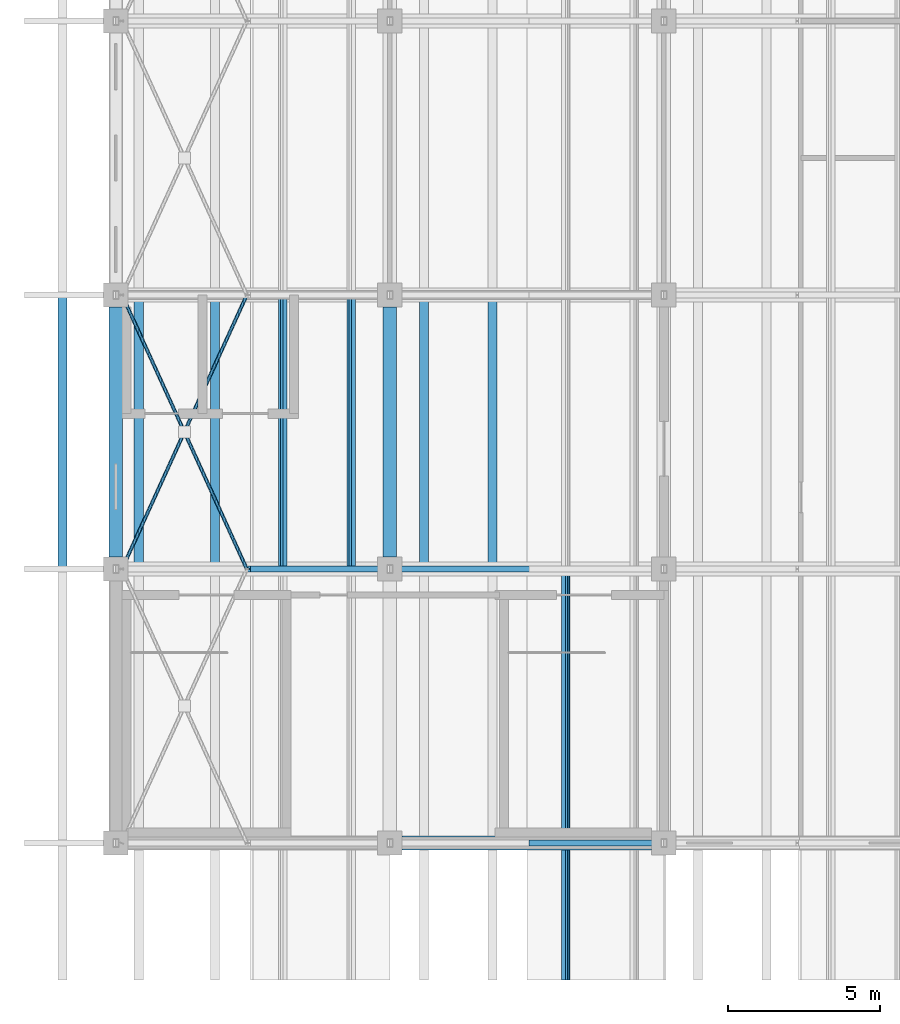
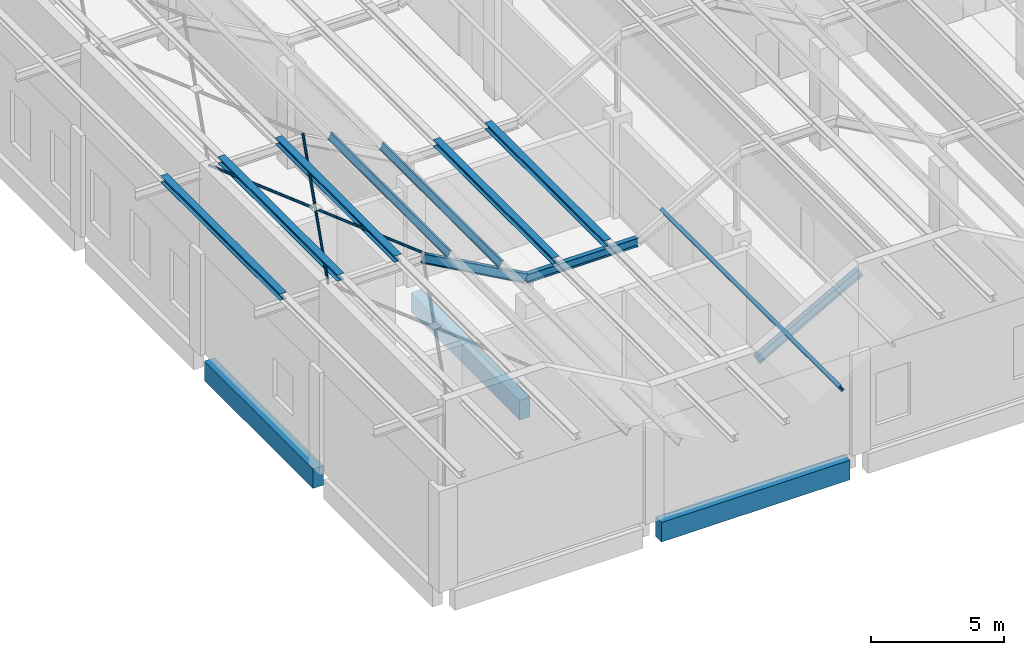
# One storey, part 12 of 437: 14 members, 3 beams.
"""IFC4 building model written with IfcOpenShell, lengths in metres."""

from ifc_helpers import new_model, si_unit, direction, frame, origin, origin_2d, place, context, subcontext, project, spatial, rectangle, hollow_circle, i_section, extrude, material, material_profile, profile_set, type_object, element, save


model = new_model("IFC4")

# Units and contexts
model_context = context("Model", 3, precision=1e-05, world=origin(), true_north=direction((0.0, 1.0)))
body_context = subcontext(model_context, "Body", "Model", "MODEL_VIEW")
ifc_project = project(units=[si_unit("LENGTHUNIT", "METRE"), si_unit("AREAUNIT", "SQUARE_METRE"), si_unit("VOLUMEUNIT", "CUBIC_METRE"), si_unit("PLANEANGLEUNIT", "RADIAN"), si_unit("MASSUNIT", "GRAM", prefix="KILO")], contexts=[model_context])

# Site, building, storey
site_placement = place(None, origin())
site = spatial("IfcSite", under=ifc_project, at=site_placement, CompositionType="ELEMENT")
building_placement = place(site_placement, origin())
building = spatial("IfcBuilding", under=site, at=building_placement, Name="Opaline Strait Convention Centre", CompositionType="ELEMENT")
storey_placement = place(building_placement, frame((0.0, 0.0, 11.5)))
storey = spatial("IfcBuildingStorey", under=building, at=storey_placement, Name="L02", CompositionType="ELEMENT", Elevation=11.5)

# Members
ifc_material_1 = material(Name="Steel Q355B", Category="steel")
ifc_material_profile_1 = material_profile(ifc_material_1, i_section(OverallWidth=0.300048828125, OverallDepth=0.300048828125, WebThickness=0.010009765625, FlangeThickness=0.014892578125, FilletRadius=0.012939453125, at=origin_2d()), Name="HW 300x300x10x15")
ifc_profile_set_1 = profile_set([ifc_material_profile_1], Name="Steel Q355B")
member_type_1 = type_object("IfcMemberType", Name="Crest purlin HW 300x300x10x15", PredefinedType="PURLIN", material=ifc_profile_set_1)
for number, where, z_axis, x_axis, name in (
    (1, (7.25, 18.0, 8.449951171875), (0.0, 1.0, 0.0), (-1.0, 0.0, 0.0), "RU1 purlin facet 1 line 1"),
    (2, (9.75, 18.0, 8.449951171875), (0.0, 1.0, 0.0), (-1.0, 0.0, 0.0), "RU1 purlin facet 1 line 2"),
    (3, (12.25, 18.0, 8.449951171875), (0.0, 1.0, 0.0), (-1.0, 0.0, 0.0), "RU1 purlin facet 1 line 3"),
    (4, (19.125, 18.0, 5.949951171875), (0.0, 1.0, 0.0), (-1.0, 0.0, 0.0), "RU1 purlin facet 3 line 1"),
    (5, (21.375, 18.0, 5.949951171875), (0.0, 1.0, 0.0), (-1.0, 0.0, 0.0), "RU1 purlin facet 3 line 2"),
):
    element("IfcMember", number, at=place(storey_placement, frame(where, z_axis=z_axis, x_axis=x_axis)), inside=storey, type_object=member_type_1, Name=name, PredefinedType="PURLIN", context=body_context, shape_type="SweptSolid", body=[
        extrude(i_section(OverallWidth=0.300048828125, OverallDepth=0.300048828125, WebThickness=0.010009765625, FlangeThickness=0.014892578125, FilletRadius=0.012939453125, at=origin_2d()), origin(), (0.0, 0.0, 1.0), 9.0),
    ])

# Beams
ifc_material_2 = material(Name="Concrete C35", Category="concrete")
ifc_material_profile_2 = material_profile(ifc_material_2, rectangle(XDim=0.449951171875, YDim=0.89990234375, at=origin_2d()), Name="RC 450x900")
ifc_profile_set_2 = profile_set([ifc_material_profile_2], Name="Concrete C35")
beam_type = type_object("IfcBeamType", Name="RC beam 450x900 C35", PredefinedType="BEAM", material=ifc_profile_set_2)
for number, where, z_axis, x_axis, name in (
    (6, (18.39990234375, 9.0, -0.72998046875), (1.0, 0.0, 0.0), (0.0, 1.0, 0.0), "XB1 L02 18/9-27/9"),
    (7, (9.0, 18.39990234375, -0.72998046875), (0.0, 1.0, 0.0), (-1.0, 0.0, 0.0), "XB1 L02 9/18-9/27"),
    (8, (18.0, 18.39990234375, -0.72998046875), (0.0, 1.0, 0.0), (-1.0, 0.0, 0.0), "XB1 L02 18/18-18/27"),
):
    element("IfcBeam", number, at=place(storey_placement, frame(where, z_axis=z_axis, x_axis=x_axis)), inside=storey, type_object=beam_type, Name=name, PredefinedType="BEAM", context=body_context, shape_type="SweptSolid", body=[
        extrude(rectangle(XDim=0.449951171875, YDim=0.89990234375, at=origin_2d()), origin(), (0.0, 0.0, 1.0), 8.2001953125),
    ])

# Members
ifc_material_profile_3 = material_profile(ifc_material_1, hollow_circle(Radius=0.056884765625, WallThickness=0.006103515625, at=origin_2d()), Name="CHS 114x6")
ifc_profile_set_3 = profile_set([ifc_material_profile_3], Name="Steel Q355B")
member_type_2 = type_object("IfcMemberType", Name="Roof bracing CHS 114x6", PredefinedType="BRACE", material=ifc_profile_set_3)
member_1_placement = place(storey_placement, frame((9.199951171875, 18.0, 8.35693359375), z_axis=(0.414572789354, 0.910016154981, 0.0), x_axis=(-0.910016154981, 0.414572789354, 0.0)))
element("IfcMember", 9, at=member_1_placement, inside=storey, type_object=member_type_2, Name="RX1 roof brace bay 2 at 9", PredefinedType="BRACE", context=body_context, shape_type="SweptSolid", body=[
    extrude(hollow_circle(Radius=0.056884765625, WallThickness=0.006103515625, at=origin_2d()), origin(), (0.0, 0.0, 1.0), 9.889892578125),
])
for number, where, z_axis, x_axis, name in (
    (10, (13.300048828125, 18.0, 8.35693359375), (-0.414570207506, 0.91001733118, 0.0), (-0.91001733118, -0.414570207506, 0.0), "RX1 roof brace bay 2 at 9"),
    (11, (11.197265625, 22.61572265625, 8.35693359375), (-0.414570207506, 0.91001733118, 0.0), (-0.91001733118, -0.414570207506, 0.0), "RX1 roof brace bay 2 at 9"),
):
    element("IfcMember", number, at=place(storey_placement, frame(where, z_axis=z_axis, x_axis=x_axis)), inside=storey, type_object=member_type_2, Name=name, PredefinedType="BRACE", context=body_context, shape_type="SweptSolid", body=[
        extrude(hollow_circle(Radius=0.056884765625, WallThickness=0.006103515625, at=origin_2d()), origin(), (0.0, 0.0, 1.0), 4.81787109375),
    ])
ifc_material_profile_4 = material_profile(ifc_material_1, i_section(OverallWidth=0.14990234375, OverallDepth=0.300048828125, WebThickness=0.006591796875, FlangeThickness=0.009033203125, FilletRadius=0.012939453125, at=origin_2d()), Name="HN 300x150x6.5x9")
ifc_profile_set_4 = profile_set([ifc_material_profile_4], Name="Steel Q355B")
member_type_3 = type_object("IfcMemberType", Name="Roof purlin HN 300x150x6.5x9", PredefinedType="PURLIN", material=ifc_profile_set_4)
for number, where, z_axis, x_axis, name in (
    (12, (14.479248046875, 18.0, 7.86279296875), (0.0, 1.0, 0.0), (-0.874157310866, 0.0, 0.485642868639), "RU1 purlin facet 2 line 1"),
    (13, (16.729248046875, 18.0, 6.61279296875), (0.0, 1.0, 0.0), (-0.874157310866, 0.0, 0.485642868639), "RU1 purlin facet 2 line 2"),
):
    element("IfcMember", number, at=place(storey_placement, frame(where, z_axis=z_axis, x_axis=x_axis)), inside=storey, type_object=member_type_3, Name=name, PredefinedType="PURLIN", context=body_context, shape_type="SweptSolid", body=[
        extrude(i_section(OverallWidth=0.14990234375, OverallDepth=0.300048828125, WebThickness=0.006591796875, FlangeThickness=0.009033203125, FilletRadius=0.012939453125, at=origin_2d()), origin(), (0.0, 0.0, 1.0), 9.0),
    ])
member_2_placement = place(storey_placement, frame((23.770751953125, 4.5, 6.61279296875), z_axis=(0.0, 1.0, 0.0), x_axis=(-0.874157310866, 0.0, -0.485642868639)))
element("IfcMember", 14, at=member_2_placement, inside=storey, type_object=member_type_3, Name="RU1 purlin facet 4 line 1", PredefinedType="PURLIN", context=body_context, shape_type="SweptSolid", body=[
    extrude(i_section(OverallWidth=0.14990234375, OverallDepth=0.300048828125, WebThickness=0.006591796875, FlangeThickness=0.009033203125, FilletRadius=0.012939453125, at=origin_2d()), origin(), (0.0, 0.0, 1.0), 13.5),
])
ifc_material_profile_5 = material_profile(ifc_material_1, i_section(OverallWidth=0.199951171875, OverallDepth=0.39990234375, WebThickness=0.008056640625, FlangeThickness=0.012939453125, FilletRadius=0.012939453125, at=origin_2d()), Name="HN 400x200x8x13")
ifc_profile_set_5 = profile_set([ifc_material_profile_5], Name="Steel Q355B")
member_type_4 = type_object("IfcMemberType", Name="Roof rafter HN 400x200x8x13", PredefinedType="RAFTER", material=ifc_profile_set_5)
for number, where, z_axis, x_axis, name in (
    (15, (22.66845703125, 9.0, 5.60009765625), (0.874157276122, 0.0, 0.485642931179), (0.0, 1.0, 0.0), "RR1 rafter line 1 facet 5"),
    (16, (13.33154296875, 18.0, 8.10009765625), (0.874157276122, 0.0, -0.485642931179), (0.0, 1.0, 0.0), "RR1 rafter line 2 facet 3"),
):
    element("IfcMember", number, at=place(storey_placement, frame(where, z_axis=z_axis, x_axis=x_axis)), inside=storey, type_object=member_type_4, Name=name, PredefinedType="RAFTER", context=body_context, shape_type="SweptSolid", body=[
        extrude(i_section(OverallWidth=0.199951171875, OverallDepth=0.39990234375, WebThickness=0.008056640625, FlangeThickness=0.012939453125, FilletRadius=0.012939453125, at=origin_2d()), origin(), (0.0, 0.0, 1.0), 5.147705078125),
    ])
member_3_placement = place(storey_placement, frame((17.83154296875, 18.0, 5.60009765625), z_axis=(1.0, 0.0, 0.0), x_axis=(0.0, 1.0, 0.0)))
element("IfcMember", 17, at=member_3_placement, inside=storey, type_object=member_type_4, Name="RR1 rafter line 2 facet 4", PredefinedType="RAFTER", context=body_context, shape_type="SweptSolid", body=[
    extrude(i_section(OverallWidth=0.199951171875, OverallDepth=0.39990234375, WebThickness=0.008056640625, FlangeThickness=0.012939453125, FilletRadius=0.012939453125, at=origin_2d()), origin(), (0.0, 0.0, 1.0), 4.8369140625),
])

save(model, "model.ifc")
